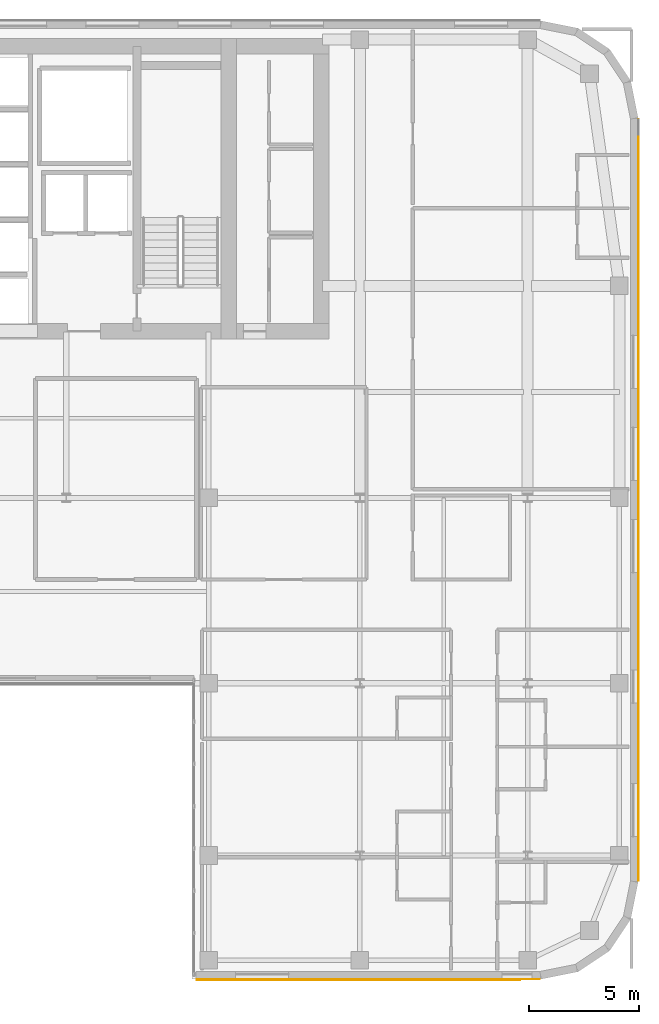
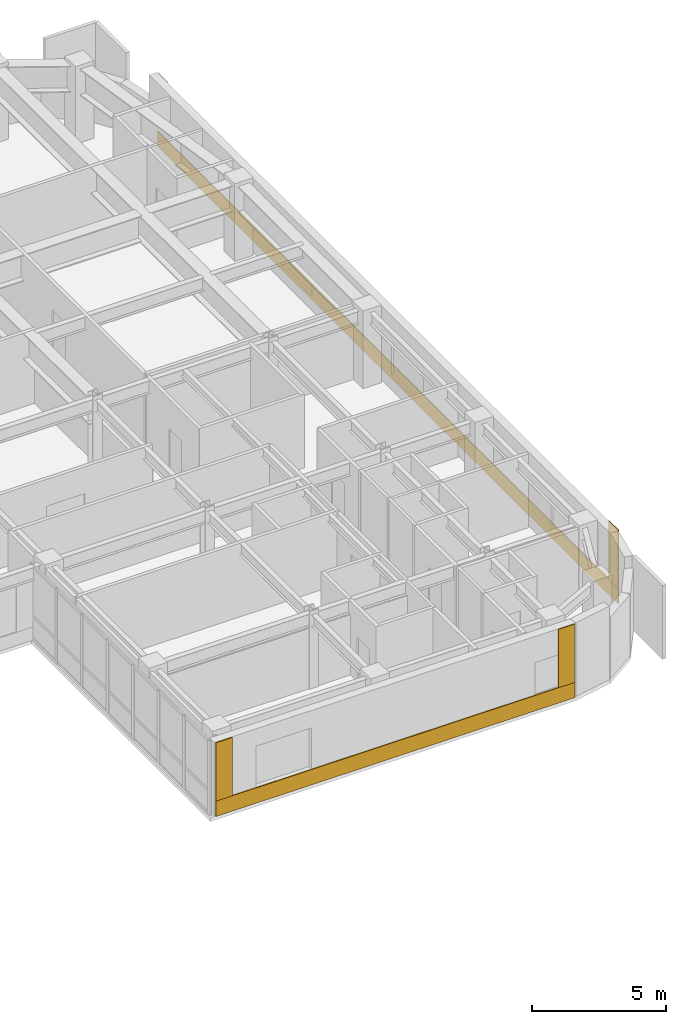
# One storey, part 18 of 20: 5 coverings.
"""IFC4 building model written with IfcOpenShell, lengths in metres."""

from ifc_helpers import new_model, si_unit, direction, frame, origin, place, context, subcontext, project, spatial, polyline, outline, extrude, material, layer, layer_set, type_object, element, save


model = new_model("IFC4")

# Units and contexts
model_context = context("Model", 3, precision=1e-05, world=origin(), true_north=direction((0.0, 1.0)))
body_context = subcontext(model_context, "Body", "Model", "MODEL_VIEW")
ifc_project = project(units=[si_unit("LENGTHUNIT", "METRE"), si_unit("AREAUNIT", "SQUARE_METRE"), si_unit("VOLUMEUNIT", "CUBIC_METRE"), si_unit("PLANEANGLEUNIT", "RADIAN"), si_unit("MASSUNIT", "GRAM", prefix="KILO")], contexts=[model_context])

# Site, building, storey
site_placement = place(None, origin())
site = spatial("IfcSite", under=ifc_project, at=site_placement, CompositionType="ELEMENT")
building_placement = place(site_placement, origin())
building = spatial("IfcBuilding", under=site, at=building_placement, Name="Tolvann Quenvar Hotel", CompositionType="ELEMENT")
storey_placement = place(building_placement, frame((0.0, 0.0, 175.449951171875)))
storey = spatial("IfcBuildingStorey", under=building, at=storey_placement, Name="L46", CompositionType="ELEMENT", Elevation=175.449951171875)

# Coverings
ifc_material_1 = material(Name="Kiln-fired red architectural face brick cladding", Category="masonry")
ifc_layer_1 = layer(ifc_material_1, 0.0400390625)
ifc_layer_set_1 = layer_set([ifc_layer_1], Name="Kiln-fired red architectural face brick cladding")
covering_type_1 = type_object("IfcCoveringType", Name="COV_CLAD_BRICK_40", PredefinedType="CLADDING", material=ifc_layer_set_1)
covering_1_placement = place(storey_placement, frame((0.0, 0.0, 0.699951171875)))
element("IfcCovering", 1, at=covering_1_placement, inside=storey, type_object=covering_type_1, Name="Brick Pier Cladding (L46-E08-P1)", PredefinedType="CLADDING", context=body_context, shape_type="SweptSolid", body=[
    extrude(outline(polyline([(34.425048828125, 2.60009765625), (35.125, 2.60009765625), (35.125, 2.56005859375), (34.425048828125, 2.56005859375), (34.425048828125, 2.60009765625)])), origin(), (0.0, 0.0, 1.0), 2.670166015625),
])
covering_2_placement = place(storey_placement, frame((0.0, 0.0, 0.699951171875)))
element("IfcCovering", 2, at=covering_2_placement, inside=storey, type_object=covering_type_1, Name="Brick Pier Cladding (L46-E08-P2)", PredefinedType="CLADDING", context=body_context, shape_type="SweptSolid", body=[
    extrude(outline(polyline([(49.23291015625, 2.60009765625), (49.932861328125, 2.60009765625), (49.932861328125, 2.56005859375), (49.23291015625, 2.56005859375), (49.23291015625, 2.60009765625)])), origin(), (0.0, 0.0, 1.0), 2.670166015625),
])
covering_3_placement = place(storey_placement, frame((0.0, 0.0, 0.699951171875)))
element("IfcCovering", 3, at=covering_3_placement, inside=storey, type_object=covering_type_1, Name="Brick Pier Cladding (L46-E13-P1)", PredefinedType="CLADDING", context=body_context, shape_type="SweptSolid", body=[
    extrude(outline(polyline([(54.39990234375, 7.067138671875), (54.39990234375, 7.76708984375), (54.43994140625, 7.76708984375), (54.43994140625, 7.067138671875), (54.39990234375, 7.067138671875)])), origin(), (0.0, 0.0, 1.0), 2.670166015625),
])
ifc_material_2 = material(Name="Moulded buff architectural terracotta spandrel cladding", Category="masonry")
ifc_layer_2 = layer(ifc_material_2, 0.0400390625)
ifc_layer_set_2 = layer_set([ifc_layer_2], Name="Moulded buff architectural terracotta spandrel cladding")
covering_type_2 = type_object("IfcCoveringType", Name="COV_CLAD_TERRA_40", PredefinedType="CLADDING", material=ifc_layer_set_2)
covering_4_placement = place(storey_placement, origin())
element("IfcCovering", 4, at=covering_4_placement, inside=storey, type_object=covering_type_2, Name="Terracotta Spandrel Cladding (L46-E08)", PredefinedType="CLADDING", context=body_context, shape_type="SweptSolid", body=[
    extrude(outline(polyline([(34.4150390625, 2.60009765625), (49.94287109375, 2.60009765625), (49.94287109375, 2.56005859375), (34.4150390625, 2.56005859375), (34.4150390625, 2.60009765625)])), origin(), (0.0, 0.0, 1.0), 0.699951171875),
])
covering_5_placement = place(storey_placement, origin())
element("IfcCovering", 5, at=covering_5_placement, inside=storey, type_object=covering_type_2, Name="Terracotta Spandrel Cladding (L46-E13)", PredefinedType="CLADDING", context=body_context, shape_type="SweptSolid", body=[
    extrude(outline(polyline([(54.39990234375, 7.05712890625), (54.39990234375, 41.542724609375), (54.43994140625, 41.542724609375), (54.43994140625, 7.05712890625), (54.39990234375, 7.05712890625)])), origin(), (0.0, 0.0, 1.0), 0.699951171875),
])

save(model, "model.ifc")
